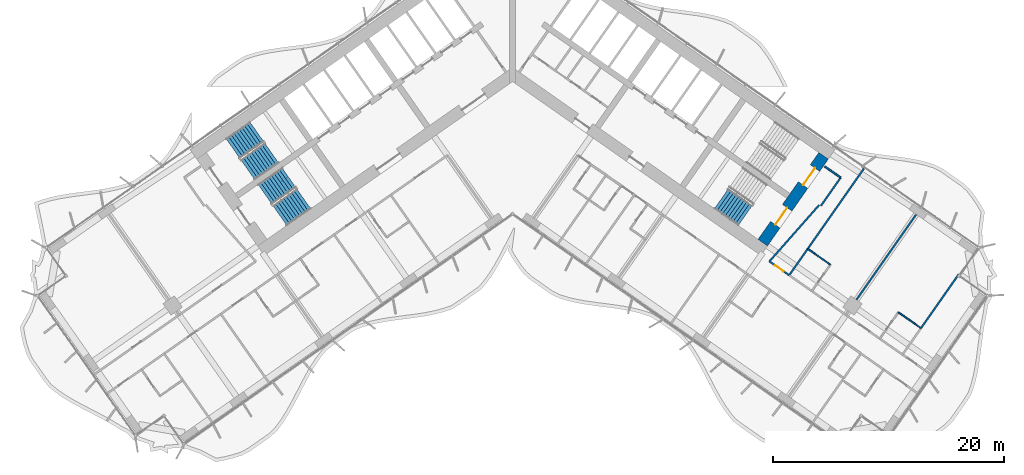
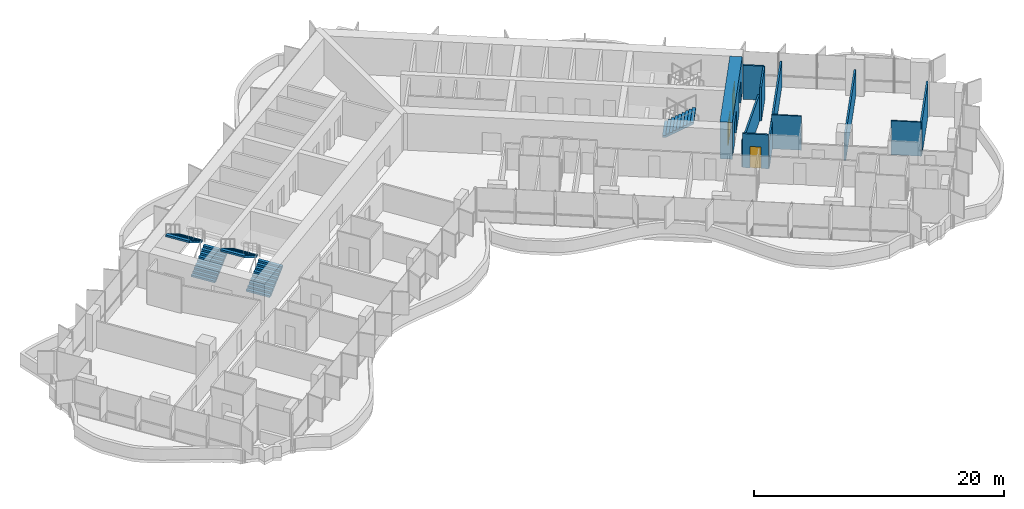
# One storey, part 16 of 23: 11 walls, 5 stair flights, 3 doors, 3 openings, 3 elements without a shape of their own.
"""IFC4 building model written with IfcOpenShell, lengths in metres."""

from ifc_helpers import new_model, si_unit, direction, frame, frame_2d, origin, place, context, subcontext, project, spatial, polyline, rectangle, outline, extrude, material, layer, layer_set, type_object, element, fill, aggregate, save


model = new_model("IFC4")

# Units and contexts
model_context = context("Model", 3, precision=1e-05, world=origin(), true_north=direction((0.0, 1.0)))
body_context = subcontext(model_context, "Body", "Model", "MODEL_VIEW")
ifc_project = project(units=[si_unit("LENGTHUNIT", "METRE"), si_unit("AREAUNIT", "SQUARE_METRE"), si_unit("VOLUMEUNIT", "CUBIC_METRE"), si_unit("PLANEANGLEUNIT", "RADIAN"), si_unit("MASSUNIT", "GRAM", prefix="KILO")], contexts=[model_context])

# Site, building, storey
site_placement = place(None, origin())
site = spatial("IfcSite", under=ifc_project, at=site_placement, CompositionType="ELEMENT")
building_placement = place(site_placement, origin())
building = spatial("IfcBuilding", under=site, at=building_placement, Name="Tel Ilan Convention Tower", CompositionType="ELEMENT")
storey_placement = place(building_placement, frame((0.0, 0.0, 119.300048828125)))
storey = spatial("IfcBuildingStorey", under=building, at=storey_placement, Name="L26", CompositionType="ELEMENT", Elevation=119.300048828125)

# Wall, openings, doors
ifc_material_1 = material(Name="Concrete C60/75", Category="concrete")
ifc_layer_1 = layer(ifc_material_1, 1.0)
ifc_layer_set_1 = layer_set([ifc_layer_1], Name="Core Shear Wall 1000 mm C60/75")
wall_type_1 = type_object("IfcWallType", Name="Core Shear Wall 1000 mm C60/75", PredefinedType="SHEAR", material=ifc_layer_set_1)
wall_1_placement = place(storey_placement, frame((21.70751953125, -15.19970703125, 0.0), z_axis=(0.0, 0.0, 1.0), x_axis=(0.573576324356, 0.819152122709, 0.0)))
wall_1 = element("IfcWall", 1, at=wall_1_placement, inside=storey, type_object=wall_type_1, Name="L26 core wall E-end", PredefinedType="SHEAR", context=body_context, shape_type="SweptSolid", body=[
    extrude(outline(polyline([(9.199951171875, 0.5), (0.0, 0.5), (0.0, -0.5), (9.199951171875, -0.5), (9.199951171875, 0.5)])), origin(), (0.0, 0.0, 1.0), 3.599853515625),
])
opening_1_placement = place(wall_1_placement, frame((6.10009765625, 0.0, 0.0)))
opening_1 = element("IfcOpeningElement", 2, at=opening_1_placement, cuts=wall_1, Name="Opening SD2003", PredefinedType="OPENING", context=body_context, shape_type="SweptSolid", body=[
    extrude(rectangle(XDim=1.800048828125, YDim=2.10009765625, at=frame_2d((0.89990234375, 1.050048828125))), frame((0.0, 0.510009765625, 0.0), z_axis=(0.0, -1.0, 0.0), x_axis=(1.0, 0.0, 0.0)), (0.0, 0.0, 1.0), 1.02001953125),
])
opening_2_placement = place(wall_1_placement, frame((1.89990234375, 0.0, 0.0)))
opening_2 = element("IfcOpeningElement", 3, at=opening_2_placement, cuts=wall_1, Name="Opening SD2004", PredefinedType="OPENING", context=body_context, shape_type="SweptSolid", body=[
    extrude(rectangle(XDim=1.800048828125, YDim=2.10009765625, at=frame_2d((0.89990234375, 1.050048828125))), frame((0.0, 0.510009765625, 0.0), z_axis=(0.0, -1.0, 0.0), x_axis=(1.0, 0.0, 0.0)), (0.0, 0.0, 1.0), 1.02001953125),
])
ifc_material_2 = material(Name="Galvanised Steel Door Leaf", Category="steel")
door_type_1 = type_object("IfcDoorType", Name="Stair Fire Door 1800 x 2100 FD60S", OperationType="NOTDEFINED", PredefinedType="DOOR", material=ifc_material_2)
door_1_placement = place(opening_1_placement, origin())
door_1 = element("IfcDoor", 4, at=door_1_placement, inside=storey, type_object=door_type_1, Name="Stair S3 door", OperationType="DOUBLE_DOOR_SINGLE_SWING", OverallHeight=2.10009765625, OverallWidth=1.800048828125, PredefinedType="DOOR", context=body_context, shape_type="SweptSolid", body=[
    extrude(rectangle(XDim=1.800048828125, YDim=2.10009765625, at=frame_2d((0.89990234375, 1.050048828125))), frame((0.0, 0.02490234375, 0.0), z_axis=(0.0, -1.0, 0.0), x_axis=(1.0, 0.0, 0.0)), (0.0, 0.0, 1.0), 0.050048828125),
])
fill(opening_1, door_1)
door_2_placement = place(opening_2_placement, origin())
door_2 = element("IfcDoor", 5, at=door_2_placement, inside=storey, type_object=door_type_1, Name="Stair S4 door", OperationType="DOUBLE_DOOR_SINGLE_SWING", OverallHeight=2.10009765625, OverallWidth=1.800048828125, PredefinedType="DOOR", context=body_context, shape_type="SweptSolid", body=[
    extrude(rectangle(XDim=1.800048828125, YDim=2.10009765625, at=frame_2d((0.89990234375, 1.050048828125))), frame((0.0, 0.02490234375, 0.0), z_axis=(0.0, -1.0, 0.0), x_axis=(1.0, 0.0, 0.0)), (0.0, 0.0, 1.0), 0.050048828125),
])
fill(opening_2, door_2)

# Wall, opening, door
ifc_material_3 = material(Name="Plasterboard on Steel Studs", Category="steel")
ifc_layer_2 = layer(ifc_material_3, 0.14990234375)
ifc_layer_set_2 = layer_set([ifc_layer_2], Name="Fire-rated Partition 150 EI 60")
wall_type_2 = type_object("IfcWallType", Name="Fire-rated Partition 150 EI 60", PredefinedType="PARTITIONING", material=ifc_layer_set_2)
wall_2_placement = place(storey_placement, frame((22.28369140625, -16.823974609375, 0.0), z_axis=(0.0, 0.0, 1.0), x_axis=(0.819160859995, -0.573563846013, 0.0)))
wall_2 = element("IfcWall", 6, at=wall_2_placement, inside=storey, type_object=wall_type_2, Name="Partition 001", PredefinedType="PARTITIONING", context=body_context, shape_type="SweptSolid", body=[
    extrude(rectangle(XDim=2.098388671875, YDim=0.14990234375, at=frame_2d((1.04931640625, 0.0))), origin(), (0.0, 0.0, 1.0), 3.320068359375),
])
opening_3_placement = place(wall_2_placement, frame((0.59912109375, 0.0, 0.0)))
opening_3 = element("IfcOpeningElement", 7, at=opening_3_placement, cuts=wall_2, Name="Opening L24-027", PredefinedType="OPENING", context=body_context, shape_type="SweptSolid", body=[
    extrude(rectangle(XDim=0.89990234375, YDim=2.10009765625, at=frame_2d((0.449951171875, 1.050048828125))), frame((0.0, 0.0849609375, 0.0), z_axis=(0.0, -1.0, 0.0), x_axis=(1.0, 0.0, 0.0)), (0.0, 0.0, 1.0), 0.169921875),
])
ifc_material_4 = material(Name="Timber Door Leaf in Steel Frame", Category="steel")
door_type_2 = type_object("IfcDoorType", Name="Room Fire Door 900x2100", OperationType="NOTDEFINED", PredefinedType="DOOR", material=ifc_material_4)
door_3_placement = place(opening_3_placement, origin())
door_3 = element("IfcDoor", 8, at=door_3_placement, inside=storey, type_object=door_type_2, Name="Door L24-027", OperationType="SINGLE_SWING_LEFT", OverallHeight=2.10009765625, OverallWidth=0.89990234375, PredefinedType="DOOR", context=body_context, shape_type="SweptSolid", body=[
    extrude(rectangle(XDim=0.89990234375, YDim=2.10009765625, at=frame_2d((0.449951171875, 1.050048828125))), frame((0.0, 0.02490234375, 0.0), z_axis=(0.0, -1.0, 0.0), x_axis=(1.0, 0.0, 0.0)), (0.0, 0.0, 1.0), 0.050048828125),
])
fill(opening_3, door_3)

# Walls
wall_3_placement = place(storey_placement, frame((30.482421875, -8.77001953125, 0.0), z_axis=(0.0, 0.0, 1.0), x_axis=(-0.573576058406, -0.819152308929, 0.0)))
element("IfcWall", 9, at=wall_3_placement, inside=storey, type_object=wall_type_2, Name="Partition 033", PredefinedType="PARTITIONING", context=body_context, shape_type="SweptSolid", body=[
    extrude(rectangle(XDim=8.5009765625, YDim=0.14990234375, at=frame_2d((4.25048828125, 0.0))), origin(), (0.0, 0.0, 1.0), 2.599853515625),
])
wall_4_placement = place(storey_placement, frame((25.608154296875, -15.731201171875, 0.0), z_axis=(0.0, 0.0, 1.0), x_axis=(-0.573596837309, -0.819137759006, 0.0)))
element("IfcWall", 10, at=wall_4_placement, inside=storey, type_object=wall_type_2, Name="Partition 034", PredefinedType="PARTITIONING", context=body_context, shape_type="SweptSolid", body=[
    extrude(rectangle(XDim=2.802001953125, YDim=0.14990234375, at=frame_2d((1.40087890625, 0.0))), origin(), (0.0, 0.0, 1.0), 2.599853515625),
])
wall_5_placement = place(storey_placement, frame((22.285400390625, -16.8251953125, 0.0), z_axis=(0.0, 0.0, 1.0), x_axis=(0.661551268245, 0.749899939647, 0.0)))
element("IfcWall", 11, at=wall_5_placement, inside=storey, type_object=wall_type_2, Name="Partition 035", PredefinedType="PARTITIONING", context=body_context, shape_type="SweptSolid", body=[
    extrude(rectangle(XDim=6.541015625, YDim=0.14990234375, at=frame_2d((3.2705078125, 0.0))), origin(), (0.0, 0.0, 1.0), 2.599853515625),
])
wall_6_placement = place(storey_placement, frame((26.74609375, -12.013671875, 0.0), z_axis=(0.0, 0.0, 1.0), x_axis=(0.573560650686, 0.819163097304, 0.0)))
element("IfcWall", 12, at=wall_6_placement, inside=storey, type_object=wall_type_2, Name="Partition 036", PredefinedType="PARTITIONING", context=body_context, shape_type="SweptSolid", body=[
    extrude(rectangle(XDim=3.0, YDim=0.14990234375, at=frame_2d((1.5, 0.0))), origin(), (0.0, 0.0, 1.0), 3.320068359375),
])
wall_7_placement = place(storey_placement, frame((28.466796875, -9.55615234375, 0.0), z_axis=(0.0, 0.0, 1.0), x_axis=(-0.819109000826, 0.573637903879, 0.0)))
element("IfcWall", 13, at=wall_7_placement, inside=storey, type_object=wall_type_2, Name="Partition 037", PredefinedType="PARTITIONING", context=body_context, shape_type="SweptSolid", body=[
    extrude(rectangle(XDim=1.679931640625, YDim=0.14990234375, at=frame_2d((0.83984375, 0.0))), origin(), (0.0, 0.0, 1.0), 3.320068359375),
])
wall_8_placement = place(storey_placement, frame((35.012939453125, -12.76025390625, 0.0), z_axis=(0.0, 0.0, 1.0), x_axis=(-0.573558725113, -0.819164445546, 0.0)))
element("IfcWall", 14, at=wall_8_placement, inside=storey, type_object=wall_type_2, Name="Partition 040", PredefinedType="PARTITIONING", context=body_context, shape_type="SweptSolid", body=[
    extrude(rectangle(XDim=9.010009765625, YDim=0.14990234375, at=frame_2d((4.5048828125, 0.0))), origin(), (0.0, 0.0, 1.0), 2.599853515625),
])
wall_9_placement = place(storey_placement, frame((38.70751953125, -17.94482421875, 0.0), z_axis=(0.0, 0.0, 1.0), x_axis=(-0.573568678046, -0.819157476658, 0.0)))
element("IfcWall", 15, at=wall_9_placement, inside=storey, type_object=wall_type_2, Name="Partition 044", PredefinedType="PARTITIONING", context=body_context, shape_type="SweptSolid", body=[
    extrude(rectangle(XDim=5.701171875, YDim=0.14990234375, at=frame_2d((2.8505859375, 0.0))), origin(), (0.0, 0.0, 1.0), 3.320068359375),
])
ifc_material_5 = material(Name="Plasterboard on Steel Studs", Category="steel")
ifc_layer_3 = layer(ifc_material_5, 0.1201171875)
ifc_layer_set_3 = layer_set([ifc_layer_3], Name="Moisture-resistant Partition 120")
wall_type_3 = type_object("IfcWallType", Name="Moisture-resistant Partition 120", PredefinedType="PARTITIONING", material=ifc_layer_set_3)
wall_10_placement = place(storey_placement, frame((27.573486328125, -17.108642578125, 0.0), z_axis=(0.0, 0.0, 1.0), x_axis=(-0.819107643868, 0.573639841501, 0.0)))
element("IfcWall", 16, at=wall_10_placement, inside=storey, type_object=wall_type_3, Name="Partition 039", PredefinedType="PARTITIONING", context=body_context, shape_type="SweptSolid", body=[
    extrude(rectangle(XDim=2.39990234375, YDim=0.1201171875, at=frame_2d((1.199951171875, 0.0))), origin(), (0.0, 0.0, 1.0), 3.320068359375),
])
wall_11_placement = place(storey_placement, frame((35.4375, -22.614990234375, 0.0), z_axis=(0.0, 0.0, 1.0), x_axis=(-0.819141114317, 0.573592045652, 0.0)))
element("IfcWall", 17, at=wall_11_placement, inside=storey, type_object=wall_type_3, Name="Partition 042", PredefinedType="PARTITIONING", context=body_context, shape_type="SweptSolid", body=[
    extrude(rectangle(XDim=2.400146484375, YDim=0.1201171875, at=frame_2d((1.2001953125, 0.0))), origin(), (0.0, 0.0, 1.0), 3.320068359375),
])

# Stair, stair flights
ifc_material_6 = material(Name="Concrete C40/50", Category="concrete")
stair_type = type_object("IfcStairType", Name="Pressurised Exit Stair 20 risers 180 mm", PredefinedType="HALF_TURN_STAIR", material=ifc_material_6)
stair_1_placement = place(storey_placement, origin())
stair_1 = element("IfcStair", 18, at=stair_1_placement, inside=storey, type_object=stair_type, Name="L26 Pressurised Stair S1", PredefinedType="HALF_TURN_STAIR")
ifc_material_7 = material(Name="Precast Concrete C40/50", Category="concrete")
stair_flight_type = type_object("IfcStairFlightType", Name="Concrete Stair Flight 2100 mm 20 risers 180 mm", PredefinedType="STRAIGHT", material=ifc_material_7)
stair_flight_1_placement = place(storey_placement, frame((-22.9619140625, -8.87548828125, 0.0), z_axis=(0.0, 0.0, 1.0), x_axis=(0.819152044289, 0.573576436351, 0.0)))
stair_flight_1 = element("IfcStairFlight", 19, at=stair_flight_1_placement, type_object=stair_flight_type, Name="S1 flight 1", NumberOfRisers=10, NumberOfTreads=9, PredefinedType="STRAIGHT", RiserHeight=0.18, TreadLength=0.28, context=body_context, shape_type="SweptSolid", body=[
    extrude(outline(polyline([(0.0, 0.0), (0.0, 0.179931640625), (0.280029296875, 0.179931640625), (0.280029296875, 0.360107421875), (0.56005859375, 0.360107421875), (0.56005859375, 0.5400390625), (0.840087890625, 0.5400390625), (0.840087890625, 0.719970703125), (1.1201171875, 0.719970703125), (1.1201171875, 0.89990234375), (1.39990234375, 0.89990234375), (1.39990234375, 1.080078125), (1.679931640625, 1.080078125), (1.679931640625, 1.260009765625), (1.9599609375, 1.260009765625), (1.9599609375, 1.43994140625), (2.239990234375, 1.43994140625), (2.239990234375, 1.6201171875), (2.52001953125, 1.6201171875), (2.52001953125, 1.800048828125), (2.52001953125, 1.44189453125), (0.277099609375, 0.0), (0.0, 0.0)])), frame((0.0, -0.100341796875, 0.0), z_axis=(0.0, -1.0, 0.0), x_axis=(1.0, 0.0, 0.0)), (0.0, 0.0, 1.0), 0.94970703125),
    extrude(outline(polyline([(0.0, 0.0), (0.0, 0.179931640625), (0.280029296875, 0.179931640625), (0.280029296875, 0.360107421875), (0.56005859375, 0.360107421875), (0.56005859375, 0.5400390625), (0.840087890625, 0.5400390625), (0.840087890625, 0.719970703125), (1.1201171875, 0.719970703125), (1.1201171875, 0.89990234375), (1.39990234375, 0.89990234375), (1.39990234375, 1.080078125), (1.679931640625, 1.080078125), (1.679931640625, 1.260009765625), (1.9599609375, 1.260009765625), (1.9599609375, 1.43994140625), (2.239990234375, 1.43994140625), (2.239990234375, 1.6201171875), (2.52001953125, 1.6201171875), (2.52001953125, 1.800048828125), (2.52001953125, 1.44189453125), (0.277099609375, 0.0), (0.0, 0.0)])), frame((0.0, -0.000244140625, 0.0), z_axis=(0.0, -1.0, 0.0), x_axis=(1.0, 0.0, 0.0)), (0.0, 0.0, 1.0), 0.099609375),
    extrude(outline(polyline([(0.0, 0.0), (0.0, 0.179931640625), (0.280029296875, 0.179931640625), (0.280029296875, 0.360107421875), (0.56005859375, 0.360107421875), (0.56005859375, 0.5400390625), (0.840087890625, 0.5400390625), (0.840087890625, 0.719970703125), (1.1201171875, 0.719970703125), (1.1201171875, 0.89990234375), (1.39990234375, 0.89990234375), (1.39990234375, 1.080078125), (1.679931640625, 1.080078125), (1.679931640625, 1.260009765625), (1.9599609375, 1.260009765625), (1.9599609375, 1.43994140625), (2.239990234375, 1.43994140625), (2.239990234375, 1.6201171875), (2.52001953125, 1.6201171875), (2.52001953125, 1.800048828125), (2.52001953125, 1.44189453125), (0.277099609375, 0.0), (0.0, 0.0)])), frame((0.0, 0.099853515625, 0.0), z_axis=(0.0, -1.0, 0.0), x_axis=(1.0, 0.0, 0.0)), (0.0, 0.0, 1.0), 0.099609375),
    extrude(outline(polyline([(0.0, 0.0), (0.0, 0.179931640625), (0.280029296875, 0.179931640625), (0.280029296875, 0.360107421875), (0.56005859375, 0.360107421875), (0.56005859375, 0.5400390625), (0.840087890625, 0.5400390625), (0.840087890625, 0.719970703125), (1.1201171875, 0.719970703125), (1.1201171875, 0.89990234375), (1.39990234375, 0.89990234375), (1.39990234375, 1.080078125), (1.679931640625, 1.080078125), (1.679931640625, 1.260009765625), (1.9599609375, 1.260009765625), (1.9599609375, 1.43994140625), (2.239990234375, 1.43994140625), (2.239990234375, 1.6201171875), (2.52001953125, 1.6201171875), (2.52001953125, 1.800048828125), (2.52001953125, 1.44189453125), (0.277099609375, 0.0), (0.0, 0.0)])), frame((0.0, 1.050048828125, 0.0), z_axis=(0.0, -1.0, 0.0), x_axis=(1.0, 0.0, 0.0)), (0.0, 0.0, 1.0), 0.94970703125),
])
stair_flight_2_placement = place(storey_placement, frame((-22.188232421875, -5.5869140625, 1.800048828125), z_axis=(0.0, 0.0, 1.0), x_axis=(-0.819152044289, -0.573576436351, 0.0)))
stair_flight_2 = element("IfcStairFlight", 20, at=stair_flight_2_placement, type_object=stair_flight_type, Name="S1 flight 2", NumberOfRisers=10, NumberOfTreads=9, PredefinedType="STRAIGHT", RiserHeight=0.18, TreadLength=0.28, context=body_context, shape_type="SweptSolid", body=[
    extrude(outline(polyline([(0.0, 0.0), (0.0, 0.179931640625), (0.280029296875, 0.179931640625), (0.280029296875, 0.360107421875), (0.56005859375, 0.360107421875), (0.56005859375, 0.5400390625), (0.840087890625, 0.5400390625), (0.840087890625, 0.719970703125), (1.1201171875, 0.719970703125), (1.1201171875, 0.89990234375), (1.39990234375, 0.89990234375), (1.39990234375, 1.080078125), (1.679931640625, 1.080078125), (1.679931640625, 1.260009765625), (1.9599609375, 1.260009765625), (1.9599609375, 1.43994140625), (2.239990234375, 1.43994140625), (2.239990234375, 1.6201171875), (2.52001953125, 1.6201171875), (2.52001953125, 1.800048828125), (2.52001953125, 1.44189453125), (0.277099609375, 0.0), (0.0, 0.0)])), frame((0.0, -0.100341796875, 0.0), z_axis=(0.0, -1.0, 0.0), x_axis=(1.0, 0.0, 0.0)), (0.0, 0.0, 1.0), 0.94970703125),
    extrude(outline(polyline([(0.0, 0.0), (0.0, 0.179931640625), (0.280029296875, 0.179931640625), (0.280029296875, 0.360107421875), (0.56005859375, 0.360107421875), (0.56005859375, 0.5400390625), (0.840087890625, 0.5400390625), (0.840087890625, 0.719970703125), (1.1201171875, 0.719970703125), (1.1201171875, 0.89990234375), (1.39990234375, 0.89990234375), (1.39990234375, 1.080078125), (1.679931640625, 1.080078125), (1.679931640625, 1.260009765625), (1.9599609375, 1.260009765625), (1.9599609375, 1.43994140625), (2.239990234375, 1.43994140625), (2.239990234375, 1.6201171875), (2.52001953125, 1.6201171875), (2.52001953125, 1.800048828125), (2.52001953125, 1.44189453125), (0.277099609375, 0.0), (0.0, 0.0)])), frame((0.0, -0.000244140625, 0.0), z_axis=(0.0, -1.0, 0.0), x_axis=(1.0, 0.0, 0.0)), (0.0, 0.0, 1.0), 0.099609375),
    extrude(outline(polyline([(0.0, 0.0), (0.0, 0.179931640625), (0.280029296875, 0.179931640625), (0.280029296875, 0.360107421875), (0.56005859375, 0.360107421875), (0.56005859375, 0.5400390625), (0.840087890625, 0.5400390625), (0.840087890625, 0.719970703125), (1.1201171875, 0.719970703125), (1.1201171875, 0.89990234375), (1.39990234375, 0.89990234375), (1.39990234375, 1.080078125), (1.679931640625, 1.080078125), (1.679931640625, 1.260009765625), (1.9599609375, 1.260009765625), (1.9599609375, 1.43994140625), (2.239990234375, 1.43994140625), (2.239990234375, 1.6201171875), (2.52001953125, 1.6201171875), (2.52001953125, 1.800048828125), (2.52001953125, 1.44189453125), (0.277099609375, 0.0), (0.0, 0.0)])), frame((0.0, 0.099853515625, 0.0), z_axis=(0.0, -1.0, 0.0), x_axis=(1.0, 0.0, 0.0)), (0.0, 0.0, 1.0), 0.099609375),
    extrude(outline(polyline([(0.0, 0.0), (0.0, 0.179931640625), (0.280029296875, 0.179931640625), (0.280029296875, 0.360107421875), (0.56005859375, 0.360107421875), (0.56005859375, 0.5400390625), (0.840087890625, 0.5400390625), (0.840087890625, 0.719970703125), (1.1201171875, 0.719970703125), (1.1201171875, 0.89990234375), (1.39990234375, 0.89990234375), (1.39990234375, 1.080078125), (1.679931640625, 1.080078125), (1.679931640625, 1.260009765625), (1.9599609375, 1.260009765625), (1.9599609375, 1.43994140625), (2.239990234375, 1.43994140625), (2.239990234375, 1.6201171875), (2.52001953125, 1.6201171875), (2.52001953125, 1.800048828125), (2.52001953125, 1.44189453125), (0.277099609375, 0.0), (0.0, 0.0)])), frame((0.0, 1.050048828125, 0.0), z_axis=(0.0, -1.0, 0.0), x_axis=(1.0, 0.0, 0.0)), (0.0, 0.0, 1.0), 0.94970703125),
])
aggregate(stair_1, [stair_flight_1, stair_flight_2])

stair_2_placement = place(storey_placement, origin())
stair_2 = element("IfcStair", 21, at=stair_2_placement, inside=storey, type_object=stair_type, Name="L26 Pressurised Stair S2", PredefinedType="HALF_TURN_STAIR")
stair_flight_3_placement = place(storey_placement, frame((-20.179931640625, -12.848388671875, 0.0), z_axis=(0.0, 0.0, 1.0), x_axis=(0.819152044289, 0.573576436351, 0.0)))
stair_flight_3 = element("IfcStairFlight", 22, at=stair_flight_3_placement, type_object=stair_flight_type, Name="S2 flight 1", NumberOfRisers=10, NumberOfTreads=9, PredefinedType="STRAIGHT", RiserHeight=0.18, TreadLength=0.28, context=body_context, shape_type="SweptSolid", body=[
    extrude(outline(polyline([(0.0, 0.0), (0.0, 0.179931640625), (0.280029296875, 0.179931640625), (0.280029296875, 0.360107421875), (0.56005859375, 0.360107421875), (0.56005859375, 0.5400390625), (0.840087890625, 0.5400390625), (0.840087890625, 0.719970703125), (1.1201171875, 0.719970703125), (1.1201171875, 0.89990234375), (1.39990234375, 0.89990234375), (1.39990234375, 1.080078125), (1.679931640625, 1.080078125), (1.679931640625, 1.260009765625), (1.9599609375, 1.260009765625), (1.9599609375, 1.43994140625), (2.239990234375, 1.43994140625), (2.239990234375, 1.6201171875), (2.52001953125, 1.6201171875), (2.52001953125, 1.800048828125), (2.52001953125, 1.44189453125), (0.277099609375, 0.0), (0.0, 0.0)])), frame((0.0, -0.100341796875, 0.0), z_axis=(0.0, -1.0, 0.0), x_axis=(1.0, 0.0, 0.0)), (0.0, 0.0, 1.0), 0.94970703125),
    extrude(outline(polyline([(0.0, 0.0), (0.0, 0.179931640625), (0.280029296875, 0.179931640625), (0.280029296875, 0.360107421875), (0.56005859375, 0.360107421875), (0.56005859375, 0.5400390625), (0.840087890625, 0.5400390625), (0.840087890625, 0.719970703125), (1.1201171875, 0.719970703125), (1.1201171875, 0.89990234375), (1.39990234375, 0.89990234375), (1.39990234375, 1.080078125), (1.679931640625, 1.080078125), (1.679931640625, 1.260009765625), (1.9599609375, 1.260009765625), (1.9599609375, 1.43994140625), (2.239990234375, 1.43994140625), (2.239990234375, 1.6201171875), (2.52001953125, 1.6201171875), (2.52001953125, 1.800048828125), (2.52001953125, 1.44189453125), (0.277099609375, 0.0), (0.0, 0.0)])), frame((0.0, -0.000244140625, 0.0), z_axis=(0.0, -1.0, 0.0), x_axis=(1.0, 0.0, 0.0)), (0.0, 0.0, 1.0), 0.099609375),
    extrude(outline(polyline([(0.0, 0.0), (0.0, 0.179931640625), (0.280029296875, 0.179931640625), (0.280029296875, 0.360107421875), (0.56005859375, 0.360107421875), (0.56005859375, 0.5400390625), (0.840087890625, 0.5400390625), (0.840087890625, 0.719970703125), (1.1201171875, 0.719970703125), (1.1201171875, 0.89990234375), (1.39990234375, 0.89990234375), (1.39990234375, 1.080078125), (1.679931640625, 1.080078125), (1.679931640625, 1.260009765625), (1.9599609375, 1.260009765625), (1.9599609375, 1.43994140625), (2.239990234375, 1.43994140625), (2.239990234375, 1.6201171875), (2.52001953125, 1.6201171875), (2.52001953125, 1.800048828125), (2.52001953125, 1.44189453125), (0.277099609375, 0.0), (0.0, 0.0)])), frame((0.0, 0.099853515625, 0.0), z_axis=(0.0, -1.0, 0.0), x_axis=(1.0, 0.0, 0.0)), (0.0, 0.0, 1.0), 0.099609375),
    extrude(outline(polyline([(0.0, 0.0), (0.0, 0.179931640625), (0.280029296875, 0.179931640625), (0.280029296875, 0.360107421875), (0.56005859375, 0.360107421875), (0.56005859375, 0.5400390625), (0.840087890625, 0.5400390625), (0.840087890625, 0.719970703125), (1.1201171875, 0.719970703125), (1.1201171875, 0.89990234375), (1.39990234375, 0.89990234375), (1.39990234375, 1.080078125), (1.679931640625, 1.080078125), (1.679931640625, 1.260009765625), (1.9599609375, 1.260009765625), (1.9599609375, 1.43994140625), (2.239990234375, 1.43994140625), (2.239990234375, 1.6201171875), (2.52001953125, 1.6201171875), (2.52001953125, 1.800048828125), (2.52001953125, 1.44189453125), (0.277099609375, 0.0), (0.0, 0.0)])), frame((0.0, 1.050048828125, 0.0), z_axis=(0.0, -1.0, 0.0), x_axis=(1.0, 0.0, 0.0)), (0.0, 0.0, 1.0), 0.94970703125),
])
stair_flight_4_placement = place(storey_placement, frame((-19.40625, -9.559814453125, 1.800048828125), z_axis=(0.0, 0.0, 1.0), x_axis=(-0.819152044289, -0.573576436351, 0.0)))
stair_flight_4 = element("IfcStairFlight", 23, at=stair_flight_4_placement, type_object=stair_flight_type, Name="S2 flight 2", NumberOfRisers=10, NumberOfTreads=9, PredefinedType="STRAIGHT", RiserHeight=0.18, TreadLength=0.28, context=body_context, shape_type="SweptSolid", body=[
    extrude(outline(polyline([(0.0, 0.0), (0.0, 0.179931640625), (0.280029296875, 0.179931640625), (0.280029296875, 0.360107421875), (0.56005859375, 0.360107421875), (0.56005859375, 0.5400390625), (0.840087890625, 0.5400390625), (0.840087890625, 0.719970703125), (1.1201171875, 0.719970703125), (1.1201171875, 0.89990234375), (1.39990234375, 0.89990234375), (1.39990234375, 1.080078125), (1.679931640625, 1.080078125), (1.679931640625, 1.260009765625), (1.9599609375, 1.260009765625), (1.9599609375, 1.43994140625), (2.239990234375, 1.43994140625), (2.239990234375, 1.6201171875), (2.52001953125, 1.6201171875), (2.52001953125, 1.800048828125), (2.52001953125, 1.44189453125), (0.277099609375, 0.0), (0.0, 0.0)])), frame((0.0, -0.100341796875, 0.0), z_axis=(0.0, -1.0, 0.0), x_axis=(1.0, 0.0, 0.0)), (0.0, 0.0, 1.0), 0.94970703125),
    extrude(outline(polyline([(0.0, 0.0), (0.0, 0.179931640625), (0.280029296875, 0.179931640625), (0.280029296875, 0.360107421875), (0.56005859375, 0.360107421875), (0.56005859375, 0.5400390625), (0.840087890625, 0.5400390625), (0.840087890625, 0.719970703125), (1.1201171875, 0.719970703125), (1.1201171875, 0.89990234375), (1.39990234375, 0.89990234375), (1.39990234375, 1.080078125), (1.679931640625, 1.080078125), (1.679931640625, 1.260009765625), (1.9599609375, 1.260009765625), (1.9599609375, 1.43994140625), (2.239990234375, 1.43994140625), (2.239990234375, 1.6201171875), (2.52001953125, 1.6201171875), (2.52001953125, 1.800048828125), (2.52001953125, 1.44189453125), (0.277099609375, 0.0), (0.0, 0.0)])), frame((0.0, -0.000244140625, 0.0), z_axis=(0.0, -1.0, 0.0), x_axis=(1.0, 0.0, 0.0)), (0.0, 0.0, 1.0), 0.099609375),
    extrude(outline(polyline([(0.0, 0.0), (0.0, 0.179931640625), (0.280029296875, 0.179931640625), (0.280029296875, 0.360107421875), (0.56005859375, 0.360107421875), (0.56005859375, 0.5400390625), (0.840087890625, 0.5400390625), (0.840087890625, 0.719970703125), (1.1201171875, 0.719970703125), (1.1201171875, 0.89990234375), (1.39990234375, 0.89990234375), (1.39990234375, 1.080078125), (1.679931640625, 1.080078125), (1.679931640625, 1.260009765625), (1.9599609375, 1.260009765625), (1.9599609375, 1.43994140625), (2.239990234375, 1.43994140625), (2.239990234375, 1.6201171875), (2.52001953125, 1.6201171875), (2.52001953125, 1.800048828125), (2.52001953125, 1.44189453125), (0.277099609375, 0.0), (0.0, 0.0)])), frame((0.0, 0.099853515625, 0.0), z_axis=(0.0, -1.0, 0.0), x_axis=(1.0, 0.0, 0.0)), (0.0, 0.0, 1.0), 0.099609375),
    extrude(outline(polyline([(0.0, 0.0), (0.0, 0.179931640625), (0.280029296875, 0.179931640625), (0.280029296875, 0.360107421875), (0.56005859375, 0.360107421875), (0.56005859375, 0.5400390625), (0.840087890625, 0.5400390625), (0.840087890625, 0.719970703125), (1.1201171875, 0.719970703125), (1.1201171875, 0.89990234375), (1.39990234375, 0.89990234375), (1.39990234375, 1.080078125), (1.679931640625, 1.080078125), (1.679931640625, 1.260009765625), (1.9599609375, 1.260009765625), (1.9599609375, 1.43994140625), (2.239990234375, 1.43994140625), (2.239990234375, 1.6201171875), (2.52001953125, 1.6201171875), (2.52001953125, 1.800048828125), (2.52001953125, 1.44189453125), (0.277099609375, 0.0), (0.0, 0.0)])), frame((0.0, 1.050048828125, 0.0), z_axis=(0.0, -1.0, 0.0), x_axis=(1.0, 0.0, 0.0)), (0.0, 0.0, 1.0), 0.94970703125),
])
aggregate(stair_2, [stair_flight_3, stair_flight_4])

# Stair, stair flight
stair_3_placement = place(storey_placement, origin())
stair_3 = element("IfcStair", 24, at=stair_3_placement, inside=storey, type_object=stair_type, Name="L26 Pressurised Stair S4", PredefinedType="HALF_TURN_STAIR")
stair_flight_5_placement = place(storey_placement, frame((18.11572265625, -11.403076171875, 1.800048828125), z_axis=(0.0, 0.0, 1.0), x_axis=(0.819152044289, -0.573576436351, 0.0)))
stair_flight_5 = element("IfcStairFlight", 25, at=stair_flight_5_placement, type_object=stair_flight_type, Name="S4 flight 2", NumberOfRisers=10, NumberOfTreads=9, PredefinedType="STRAIGHT", RiserHeight=0.18, TreadLength=0.28, context=body_context, shape_type="SweptSolid", body=[
    extrude(outline(polyline([(0.0, 0.0), (0.0, 0.179931640625), (0.280029296875, 0.179931640625), (0.280029296875, 0.360107421875), (0.56005859375, 0.360107421875), (0.56005859375, 0.5400390625), (0.840087890625, 0.5400390625), (0.840087890625, 0.719970703125), (1.1201171875, 0.719970703125), (1.1201171875, 0.89990234375), (1.39990234375, 0.89990234375), (1.39990234375, 1.080078125), (1.679931640625, 1.080078125), (1.679931640625, 1.260009765625), (1.9599609375, 1.260009765625), (1.9599609375, 1.43994140625), (2.239990234375, 1.43994140625), (2.239990234375, 1.6201171875), (2.52001953125, 1.6201171875), (2.52001953125, 1.800048828125), (2.52001953125, 1.44189453125), (0.277099609375, 0.0), (0.0, 0.0)])), frame((0.0, -0.100341796875, 0.0), z_axis=(0.0, -1.0, 0.0), x_axis=(1.0, 0.0, 0.0)), (0.0, 0.0, 1.0), 0.94970703125),
    extrude(outline(polyline([(0.0, 0.0), (0.0, 0.179931640625), (0.280029296875, 0.179931640625), (0.280029296875, 0.360107421875), (0.56005859375, 0.360107421875), (0.56005859375, 0.5400390625), (0.840087890625, 0.5400390625), (0.840087890625, 0.719970703125), (1.1201171875, 0.719970703125), (1.1201171875, 0.89990234375), (1.39990234375, 0.89990234375), (1.39990234375, 1.080078125), (1.679931640625, 1.080078125), (1.679931640625, 1.260009765625), (1.9599609375, 1.260009765625), (1.9599609375, 1.43994140625), (2.239990234375, 1.43994140625), (2.239990234375, 1.6201171875), (2.52001953125, 1.6201171875), (2.52001953125, 1.800048828125), (2.52001953125, 1.44189453125), (0.277099609375, 0.0), (0.0, 0.0)])), frame((0.0, -0.000244140625, 0.0), z_axis=(0.0, -1.0, 0.0), x_axis=(1.0, 0.0, 0.0)), (0.0, 0.0, 1.0), 0.099609375),
    extrude(outline(polyline([(0.0, 0.0), (0.0, 0.179931640625), (0.280029296875, 0.179931640625), (0.280029296875, 0.360107421875), (0.56005859375, 0.360107421875), (0.56005859375, 0.5400390625), (0.840087890625, 0.5400390625), (0.840087890625, 0.719970703125), (1.1201171875, 0.719970703125), (1.1201171875, 0.89990234375), (1.39990234375, 0.89990234375), (1.39990234375, 1.080078125), (1.679931640625, 1.080078125), (1.679931640625, 1.260009765625), (1.9599609375, 1.260009765625), (1.9599609375, 1.43994140625), (2.239990234375, 1.43994140625), (2.239990234375, 1.6201171875), (2.52001953125, 1.6201171875), (2.52001953125, 1.800048828125), (2.52001953125, 1.44189453125), (0.277099609375, 0.0), (0.0, 0.0)])), frame((0.0, 0.099853515625, 0.0), z_axis=(0.0, -1.0, 0.0), x_axis=(1.0, 0.0, 0.0)), (0.0, 0.0, 1.0), 0.099609375),
    extrude(outline(polyline([(0.0, 0.0), (0.0, 0.179931640625), (0.280029296875, 0.179931640625), (0.280029296875, 0.360107421875), (0.56005859375, 0.360107421875), (0.56005859375, 0.5400390625), (0.840087890625, 0.5400390625), (0.840087890625, 0.719970703125), (1.1201171875, 0.719970703125), (1.1201171875, 0.89990234375), (1.39990234375, 0.89990234375), (1.39990234375, 1.080078125), (1.679931640625, 1.080078125), (1.679931640625, 1.260009765625), (1.9599609375, 1.260009765625), (1.9599609375, 1.43994140625), (2.239990234375, 1.43994140625), (2.239990234375, 1.6201171875), (2.52001953125, 1.6201171875), (2.52001953125, 1.800048828125), (2.52001953125, 1.44189453125), (0.277099609375, 0.0), (0.0, 0.0)])), frame((0.0, 1.050048828125, 0.0), z_axis=(0.0, -1.0, 0.0), x_axis=(1.0, 0.0, 0.0)), (0.0, 0.0, 1.0), 0.94970703125),
])
aggregate(stair_3, [stair_flight_5])

save(model, "model.ifc")
